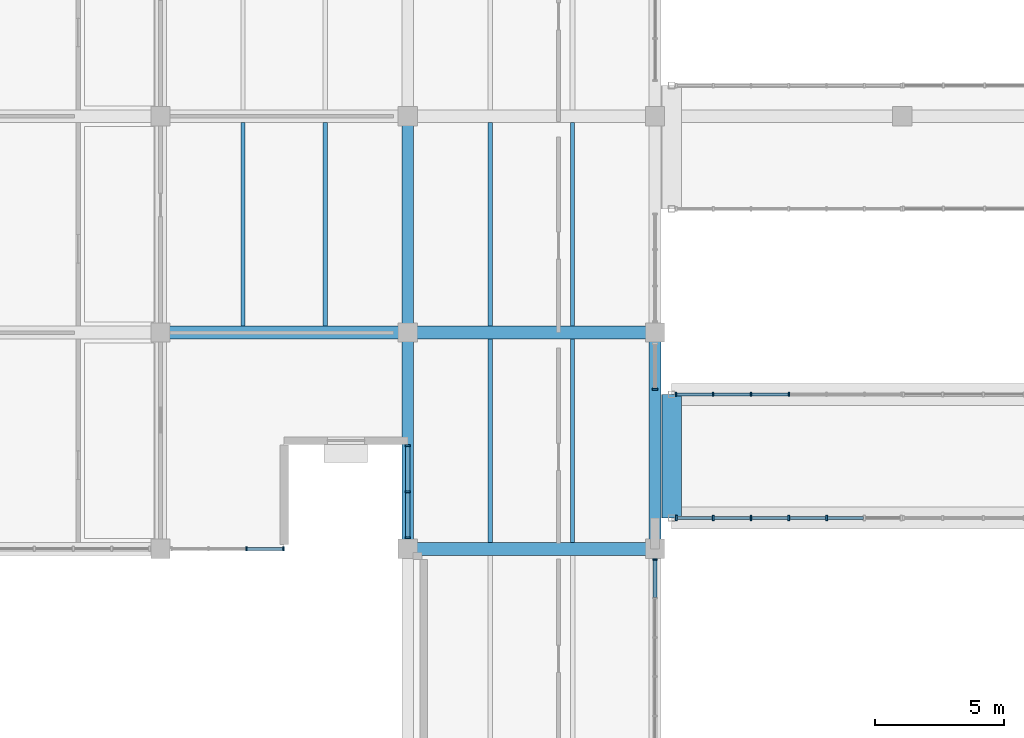
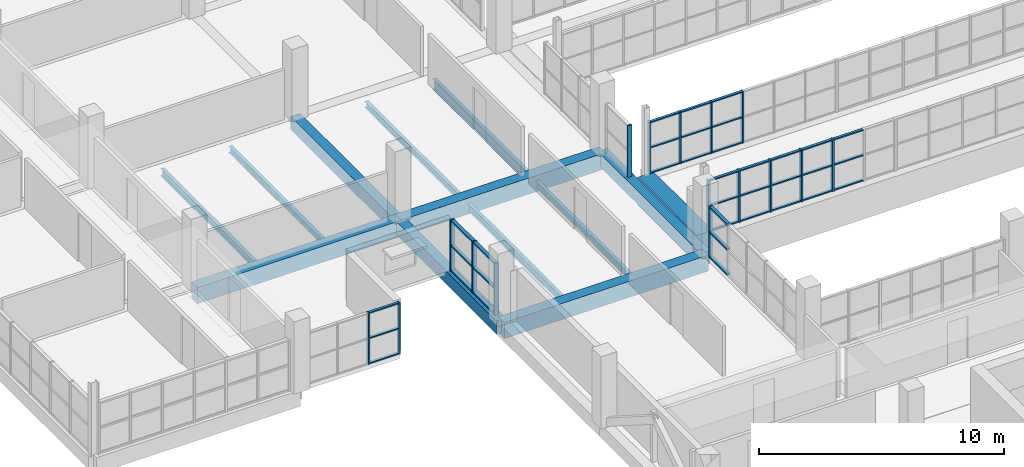
# One storey, part 57 of 147: 52 members, 13 beams, 6 elements without a shape of their own.
"""IFC4 building model written with IfcOpenShell, lengths in metres."""

from ifc_helpers import new_model, si_unit, direction, frame, origin, origin_2d, place, context, subcontext, project, spatial, rectangle, i_section, extrude, material, material_profile, profile_set, type_object, element, aggregate, save


model = new_model("IFC4")

# Units and contexts
model_context = context("Model", 3, precision=1e-05, world=origin(), true_north=direction((0.0, 1.0)))
body_context = subcontext(model_context, "Body", "Model", "MODEL_VIEW")
ifc_project = project(units=[si_unit("LENGTHUNIT", "METRE"), si_unit("AREAUNIT", "SQUARE_METRE"), si_unit("VOLUMEUNIT", "CUBIC_METRE"), si_unit("PLANEANGLEUNIT", "RADIAN"), si_unit("MASSUNIT", "GRAM", prefix="KILO")], contexts=[model_context])

# Site, building, storey
site_placement = place(None, origin())
site = spatial("IfcSite", under=ifc_project, at=site_placement, CompositionType="ELEMENT")
building_placement = place(site_placement, origin())
building = spatial("IfcBuilding", under=site, at=building_placement, Name="Oolite Switchyard Hospital", CompositionType="ELEMENT")
storey_placement = place(building_placement, frame((0.0, 0.0, 9.89990234375)))
storey = spatial("IfcBuildingStorey", under=building, at=storey_placement, Name="L02", CompositionType="ELEMENT", Elevation=9.89990234375)

# Beams
ifc_material_1 = material(Name="Concrete C40/50", Category="concrete")
ifc_material_profile_1 = material_profile(ifc_material_1, rectangle(XDim=0.449951171875, YDim=0.64990234375, at=origin_2d()), Name="RCB450X650")
ifc_profile_set_1 = profile_set([ifc_material_profile_1], Name="Concrete C40/50")
beam_type_1 = type_object("IfcBeamType", Name="BM-RC450X650", PredefinedType="BEAM", material=ifc_profile_set_1)
for number, where, z_axis, x_axis, name in (
    (1, (134.39990234375, 33.60009765625, -0.324951171875), (0.0, 1.0, 0.0), (-1.0, 0.0, 0.0), "L02 Y-Girder 1402"),
    (2, (134.39990234375, 42.0, -0.324951171875), (0.0, 1.0, 0.0), (-1.0, 0.0, 0.0), "L02 Y-Girder 1403"),
    (3, (144.0, 33.60009765625, -0.324951171875), (0.0, 1.0, 0.0), (-1.0, 0.0, 0.0), "L02 Y-Girder 1417"),
):
    element("IfcBeam", number, at=place(storey_placement, frame(where, z_axis=z_axis, x_axis=x_axis)), inside=storey, type_object=beam_type_1, Name=name, PredefinedType="BEAM", context=body_context, shape_type="SweptSolid", body=[
        extrude(rectangle(XDim=0.449951171875, YDim=0.64990234375, at=origin_2d()), origin(), (0.0, 0.0, 1.0), 8.39990234375),
    ])
ifc_material_profile_2 = material_profile(ifc_material_1, rectangle(XDim=0.5, YDim=0.800048828125, at=origin_2d()), Name="RCB500X800")
ifc_profile_set_2 = profile_set([ifc_material_profile_2], Name="Concrete C40/50")
beam_type_2 = type_object("IfcBeamType", Name="BM-RC500X800", PredefinedType="BEAM", material=ifc_profile_set_2)
beam_1_placement = place(storey_placement, frame((134.39990234375, 33.60009765625, -0.39990234375), z_axis=(1.0, 0.0, 0.0), x_axis=(0.0, 1.0, 0.0)))
element("IfcBeam", 4, at=beam_1_placement, inside=storey, type_object=beam_type_2, Name="L02 X-Girder 1042", PredefinedType="BEAM", context=body_context, shape_type="SweptSolid", body=[
    extrude(rectangle(XDim=0.5, YDim=0.800048828125, at=origin_2d()), origin(), (0.0, 0.0, 1.0), 9.60009765625),
])
beam_2_placement = place(storey_placement, frame((124.800048828125, 42.0, -0.39990234375), z_axis=(1.0, 0.0, 0.0), x_axis=(0.0, 1.0, 0.0)))
element("IfcBeam", 5, at=beam_2_placement, inside=storey, type_object=beam_type_2, Name="L02 X-Girder 1057", PredefinedType="BEAM", context=body_context, shape_type="SweptSolid", body=[
    extrude(rectangle(XDim=0.5, YDim=0.800048828125, at=origin_2d()), origin(), (0.0, 0.0, 1.0), 9.599853515625),
])
beam_3_placement = place(storey_placement, frame((134.39990234375, 42.0, -0.39990234375), z_axis=(1.0, 0.0, 0.0), x_axis=(0.0, 1.0, 0.0)))
element("IfcBeam", 6, at=beam_3_placement, inside=storey, type_object=beam_type_2, Name="L02 X-Girder 1058", PredefinedType="BEAM", context=body_context, shape_type="SweptSolid", body=[
    extrude(rectangle(XDim=0.5, YDim=0.800048828125, at=origin_2d()), origin(), (0.0, 0.0, 1.0), 9.60009765625),
])
ifc_material_profile_3 = material_profile(ifc_material_1, rectangle(XDim=0.75, YDim=1.39990234375, at=origin_2d()), Name="RCT750X1400")
ifc_profile_set_3 = profile_set([ifc_material_profile_3], Name="Concrete C40/50")
beam_type_3 = type_object("IfcBeamType", Name="BM-TR750X1400", PredefinedType="BEAM", material=ifc_profile_set_3)
beam_4_placement = place(storey_placement, frame((144.64990234375, 34.800048828125, -0.699951171875), z_axis=(0.0, 1.0, 0.0), x_axis=(-1.0, 0.0, 0.0)))
element("IfcBeam", 7, at=beam_4_placement, inside=storey, type_object=beam_type_3, Name="L02 Y-Girder 1429", PredefinedType="BEAM", context=body_context, shape_type="SweptSolid", body=[
    extrude(rectangle(XDim=0.75, YDim=1.39990234375, at=origin_2d()), origin(), (0.0, 0.0, 1.0), 4.800048828125),
])
ifc_material_2 = material(Name="Steel ASTM A992 Grade 50", Category="steel")
ifc_material_profile_4 = material_profile(ifc_material_2, i_section(OverallWidth=0.1650390625, OverallDepth=0.31005859375, WebThickness=0.006103515625, FlangeThickness=0.010009765625, at=origin_2d()), Name="W12X26")
ifc_profile_set_4 = profile_set([ifc_material_profile_4], Name="Steel ASTM A992 Grade 50")
beam_type_4 = type_object("IfcBeamType", Name="BM-W12X26", PredefinedType="JOIST", material=ifc_profile_set_4)
for number, where, z_axis, x_axis, name in (
    (8, (131.199951171875, 42.25, -0.414794921875), (0.0, 1.0, 0.0), (-1.0, 0.0, 0.0), "L02 Secondary Steel Joist 1751"),
    (9, (140.800048828125, 33.85009765625, -0.414794921875), (0.0, 1.0, 0.0), (-1.0, 0.0, 0.0), "L02 Secondary Steel Joist 1769"),
    (10, (137.60009765625, 42.25, -0.414794921875), (0.0, 1.0, 0.0), (-1.0, 0.0, 0.0), "L02 Secondary Steel Joist 1770"),
):
    element("IfcBeam", number, at=place(storey_placement, frame(where, z_axis=z_axis, x_axis=x_axis)), inside=storey, type_object=beam_type_4, Name=name, PredefinedType="JOIST", context=body_context, shape_type="SweptSolid", body=[
        extrude(i_section(OverallWidth=0.1650390625, OverallDepth=0.31005859375, WebThickness=0.006103515625, FlangeThickness=0.010009765625, at=origin_2d()), origin(), (0.0, 0.0, 1.0), 7.89990234375),
    ])
ifc_material_profile_5 = material_profile(ifc_material_2, i_section(OverallWidth=0.1708984375, OverallDepth=0.35107421875, WebThickness=0.007080078125, FlangeThickness=0.010009765625, at=origin_2d()), Name="W14X30")
ifc_profile_set_5 = profile_set([ifc_material_profile_5], Name="Steel ASTM A992 Grade 50")
beam_type_5 = type_object("IfcBeamType", Name="BM-W14X30", PredefinedType="JOIST", material=ifc_profile_set_5)
for number, where, z_axis, x_axis, name in (
    (11, (128.0, 42.25, -0.434814453125), (0.0, 1.0, 0.0), (-1.0, 0.0, 0.0), "L02 Secondary Steel Joist 1750"),
    (12, (137.60009765625, 33.85009765625, -0.434814453125), (0.0, 1.0, 0.0), (-1.0, 0.0, 0.0), "L02 Secondary Steel Joist 1768"),
):
    element("IfcBeam", number, at=place(storey_placement, frame(where, z_axis=z_axis, x_axis=x_axis)), inside=storey, type_object=beam_type_5, Name=name, PredefinedType="JOIST", context=body_context, shape_type="SweptSolid", body=[
        extrude(i_section(OverallWidth=0.1708984375, OverallDepth=0.35107421875, WebThickness=0.007080078125, FlangeThickness=0.010009765625, at=origin_2d()), origin(), (0.0, 0.0, 1.0), 7.89990234375),
    ])
ifc_material_profile_6 = material_profile(ifc_material_2, i_section(OverallWidth=0.166015625, OverallDepth=0.529052734375, WebThickness=0.010009765625, FlangeThickness=0.013916015625, at=origin_2d()), Name="W21X50")
ifc_profile_set_6 = profile_set([ifc_material_profile_6], Name="Steel ASTM A992 Grade 50")
beam_type_6 = type_object("IfcBeamType", Name="BM-W21X50", PredefinedType="JOIST", material=ifc_profile_set_6)
beam_5_placement = place(storey_placement, frame((140.800048828125, 42.25, -0.52392578125), z_axis=(0.0, 1.0, 0.0), x_axis=(-1.0, 0.0, 0.0)))
element("IfcBeam", 13, at=beam_5_placement, inside=storey, type_object=beam_type_6, Name="L02 Secondary Steel Joist 1771", PredefinedType="JOIST", context=body_context, shape_type="SweptSolid", body=[
    extrude(i_section(OverallWidth=0.166015625, OverallDepth=0.529052734375, WebThickness=0.010009765625, FlangeThickness=0.013916015625, at=origin_2d()), origin(), (0.0, 0.0, 1.0), 7.89990234375),
])

# Curtain wall, members
ifc_material_3 = material(Name="Thermally broken aluminum frame with laminated impact glazing", Category="aluminium")
curtain_wall_type_1 = type_object("IfcCurtainWallType", Name="CW-UNIT-84X36", PredefinedType="USERDEFINED", material=ifc_material_3)
curtain_wall_1_placement = place(storey_placement, origin())
curtain_wall_1 = element("IfcCurtainWall", 14, at=curtain_wall_1_placement, inside=storey, type_object=curtain_wall_type_1, Name="L02 Unitised Curtain Wall 226", ObjectType="UNITISED", PredefinedType="USERDEFINED")
ifc_material_4 = material(Name="Aluminium 6063-T6", Category="aluminium")
ifc_material_profile_7 = material_profile(ifc_material_4, rectangle(XDim=0.159912109375, YDim=0.06005859375, at=origin_2d()), Name="CWM60X160")
ifc_profile_set_7 = profile_set([ifc_material_profile_7], Name="Aluminium 6063-T6")
member_type_1 = type_object("IfcMemberType", Name="CW-MUL-180", PredefinedType="MULLION", material=ifc_profile_set_7)
member_1_placement = place(storey_placement, frame((129.570068359375, 33.60009765625, 0.0), z_axis=(0.0, 0.0, 1.0), x_axis=(0.0, -1.0, 0.0)))
member_1 = element("IfcMember", 15, at=member_1_placement, type_object=member_type_1, Name="CW-08 mullion 1", PredefinedType="MULLION", context=body_context, shape_type="SweptSolid", body=[
    extrude(rectangle(XDim=0.159912109375, YDim=0.06005859375, at=origin_2d()), origin(), (0.0, 0.0, 1.0), 2.570068359375),
])
member_2_placement = place(storey_placement, frame((128.1298828125, 33.60009765625, 0.0), z_axis=(0.0, 0.0, 1.0), x_axis=(0.0, -1.0, 0.0)))
member_2 = element("IfcMember", 16, at=member_2_placement, type_object=member_type_1, Name="CW-08 mullion 2", PredefinedType="MULLION", context=body_context, shape_type="SweptSolid", body=[
    extrude(rectangle(XDim=0.159912109375, YDim=0.06005859375, at=origin_2d()), origin(), (0.0, 0.0, 1.0), 2.570068359375),
])

curtain_wall_type_2 = type_object("IfcCurtainWallType", Name="CW-BRG-96X38", PredefinedType="USERDEFINED", material=ifc_material_3)
curtain_wall_2_placement = place(storey_placement, origin())
curtain_wall_2 = element("IfcCurtainWall", 17, at=curtain_wall_2_placement, inside=storey, type_object=curtain_wall_type_2, Name="L02 Unitised Curtain Wall 232", ObjectType="UNITISED", PredefinedType="USERDEFINED")
member_3_placement = place(storey_placement, frame((144.822021484375, 39.60009765625, 0.0), z_axis=(0.0, 0.0, 1.0), x_axis=(0.0, 1.0, 0.0)))
member_3 = element("IfcMember", 18, at=member_3_placement, type_object=member_type_1, Name="CW-12 mullion 1", PredefinedType="MULLION", context=body_context, shape_type="SweptSolid", body=[
    extrude(rectangle(XDim=0.159912109375, YDim=0.06005859375, at=origin_2d()), origin(), (0.0, 0.0, 1.0), 2.570068359375),
])
member_4_placement = place(storey_placement, frame((146.260009765625, 39.60009765625, 0.0), z_axis=(0.0, 0.0, 1.0), x_axis=(0.0, 1.0, 0.0)))
member_4 = element("IfcMember", 19, at=member_4_placement, type_object=member_type_1, Name="CW-12 mullion 2", PredefinedType="MULLION", context=body_context, shape_type="SweptSolid", body=[
    extrude(rectangle(XDim=0.159912109375, YDim=0.06005859375, at=origin_2d()), origin(), (0.0, 0.0, 1.0), 2.570068359375),
])
member_5_placement = place(storey_placement, frame((147.72802734375, 39.60009765625, 0.0), z_axis=(0.0, 0.0, 1.0), x_axis=(0.0, 1.0, 0.0)))
member_5 = element("IfcMember", 20, at=member_5_placement, type_object=member_type_1, Name="CW-12 mullion 3", PredefinedType="MULLION", context=body_context, shape_type="SweptSolid", body=[
    extrude(rectangle(XDim=0.159912109375, YDim=0.06005859375, at=origin_2d()), origin(), (0.0, 0.0, 1.0), 2.570068359375),
])
member_6_placement = place(storey_placement, frame((149.196044921875, 39.60009765625, 0.0), z_axis=(0.0, 0.0, 1.0), x_axis=(0.0, 1.0, 0.0)))
member_6 = element("IfcMember", 21, at=member_6_placement, type_object=member_type_1, Name="CW-12 mullion 4", PredefinedType="MULLION", context=body_context, shape_type="SweptSolid", body=[
    extrude(rectangle(XDim=0.159912109375, YDim=0.06005859375, at=origin_2d()), origin(), (0.0, 0.0, 1.0), 2.570068359375),
])

# Curtain wall, member
curtain_wall_3_placement = place(storey_placement, origin())
curtain_wall_3 = element("IfcCurtainWall", 22, at=curtain_wall_3_placement, inside=storey, type_object=curtain_wall_type_1, Name="L02 Unitised Curtain Wall 301", ObjectType="UNITISED", PredefinedType="USERDEFINED")
member_7_placement = place(storey_placement, frame((144.0, 33.179931640625, 0.0), z_axis=(0.0, 0.0, 1.0), x_axis=(1.0, 0.0, 0.0)))
member_7 = element("IfcMember", 23, at=member_7_placement, type_object=member_type_1, Name="CW-08 mullion 1", PredefinedType="MULLION", context=body_context, shape_type="SweptSolid", body=[
    extrude(rectangle(XDim=0.159912109375, YDim=0.06005859375, at=origin_2d()), origin(), (0.0, 0.0, 1.0), 2.570068359375),
])

# Curtain wall, members
curtain_wall_4_placement = place(storey_placement, origin())
curtain_wall_4 = element("IfcCurtainWall", 24, at=curtain_wall_4_placement, inside=storey, type_object=curtain_wall_type_2, Name="L02 Unitised Curtain Wall 228", ObjectType="UNITISED", PredefinedType="USERDEFINED")
ifc_material_profile_8 = material_profile(ifc_material_4, rectangle(XDim=0.199951171875, YDim=0.074951171875, at=origin_2d()), Name="CWM75X200")
ifc_profile_set_8 = profile_set([ifc_material_profile_8], Name="Aluminium 6063-T6")
member_type_2 = type_object("IfcMemberType", Name="CW-MUL-260", PredefinedType="MULLION", material=ifc_profile_set_8)
member_8_placement = place(storey_placement, frame((150.6640625, 34.800048828125, 0.0), z_axis=(0.0, 0.0, 1.0), x_axis=(0.0, -1.0, 0.0)))
member_8 = element("IfcMember", 25, at=member_8_placement, type_object=member_type_2, Name="CW-12 mullion 3", PredefinedType="MULLION", context=body_context, shape_type="SweptSolid", body=[
    extrude(rectangle(XDim=0.199951171875, YDim=0.074951171875, at=origin_2d()), origin(), (0.0, 0.0, 1.0), 2.570068359375),
])
member_9_placement = place(storey_placement, frame((149.196044921875, 34.800048828125, 0.0), z_axis=(0.0, 0.0, 1.0), x_axis=(0.0, -1.0, 0.0)))
member_9 = element("IfcMember", 26, at=member_9_placement, type_object=member_type_2, Name="CW-12 mullion 4", PredefinedType="MULLION", context=body_context, shape_type="SweptSolid", body=[
    extrude(rectangle(XDim=0.199951171875, YDim=0.074951171875, at=origin_2d()), origin(), (0.0, 0.0, 1.0), 2.570068359375),
])
member_10_placement = place(storey_placement, frame((147.72802734375, 34.800048828125, 0.0), z_axis=(0.0, 0.0, 1.0), x_axis=(0.0, -1.0, 0.0)))
member_10 = element("IfcMember", 27, at=member_10_placement, type_object=member_type_2, Name="CW-12 mullion 5", PredefinedType="MULLION", context=body_context, shape_type="SweptSolid", body=[
    extrude(rectangle(XDim=0.199951171875, YDim=0.074951171875, at=origin_2d()), origin(), (0.0, 0.0, 1.0), 2.570068359375),
])
member_11_placement = place(storey_placement, frame((146.260009765625, 34.800048828125, 0.0), z_axis=(0.0, 0.0, 1.0), x_axis=(0.0, -1.0, 0.0)))
member_11 = element("IfcMember", 28, at=member_11_placement, type_object=member_type_2, Name="CW-12 mullion 6", PredefinedType="MULLION", context=body_context, shape_type="SweptSolid", body=[
    extrude(rectangle(XDim=0.199951171875, YDim=0.074951171875, at=origin_2d()), origin(), (0.0, 0.0, 1.0), 2.570068359375),
])
member_12_placement = place(storey_placement, frame((144.82958984375, 34.800048828125, 0.0), z_axis=(0.0, 0.0, 1.0), x_axis=(0.0, -1.0, 0.0)))
member_12 = element("IfcMember", 29, at=member_12_placement, type_object=member_type_2, Name="CW-12 mullion 7", PredefinedType="MULLION", context=body_context, shape_type="SweptSolid", body=[
    extrude(rectangle(XDim=0.199951171875, YDim=0.074951171875, at=origin_2d()), origin(), (0.0, 0.0, 1.0), 2.570068359375),
])

curtain_wall_5_placement = place(storey_placement, origin())
curtain_wall_5 = element("IfcCurtainWall", 30, at=curtain_wall_5_placement, inside=storey, type_object=curtain_wall_type_1, Name="L02 Unitised Curtain Wall 297", ObjectType="UNITISED", PredefinedType="USERDEFINED")
member_13_placement = place(storey_placement, frame((134.39990234375, 34.027587890625, 0.0), z_axis=(0.0, 0.0, 1.0), x_axis=(-1.0, 0.0, 0.0)))
member_13 = element("IfcMember", 31, at=member_13_placement, type_object=member_type_2, Name="CW-08 mullion 1", PredefinedType="MULLION", context=body_context, shape_type="SweptSolid", body=[
    extrude(rectangle(XDim=0.199951171875, YDim=0.074951171875, at=origin_2d()), origin(), (0.0, 0.0, 1.0), 2.570068359375),
])
member_14_placement = place(storey_placement, frame((134.39990234375, 35.81494140625, 0.0), z_axis=(0.0, 0.0, 1.0), x_axis=(-1.0, 0.0, 0.0)))
member_14 = element("IfcMember", 32, at=member_14_placement, type_object=member_type_2, Name="CW-08 mullion 2", PredefinedType="MULLION", context=body_context, shape_type="SweptSolid", body=[
    extrude(rectangle(XDim=0.199951171875, YDim=0.074951171875, at=origin_2d()), origin(), (0.0, 0.0, 1.0), 2.570068359375),
])
member_15_placement = place(storey_placement, frame((134.39990234375, 37.6025390625, 0.0), z_axis=(0.0, 0.0, 1.0), x_axis=(-1.0, 0.0, 0.0)))
member_15 = element("IfcMember", 33, at=member_15_placement, type_object=member_type_2, Name="CW-08 mullion 3", PredefinedType="MULLION", context=body_context, shape_type="SweptSolid", body=[
    extrude(rectangle(XDim=0.199951171875, YDim=0.074951171875, at=origin_2d()), origin(), (0.0, 0.0, 1.0), 2.570068359375),
])

# Curtain wall, member
curtain_wall_6_placement = place(storey_placement, origin())
curtain_wall_6 = element("IfcCurtainWall", 34, at=curtain_wall_6_placement, inside=storey, type_object=curtain_wall_type_2, Name="L02 Unitised Curtain Wall 303", ObjectType="UNITISED", PredefinedType="USERDEFINED")
member_16_placement = place(storey_placement, frame((144.0, 39.797607421875, 0.0), z_axis=(0.0, 0.0, 1.0), x_axis=(1.0, 0.0, 0.0)))
member_16 = element("IfcMember", 35, at=member_16_placement, type_object=member_type_2, Name="CW-12 mullion 2", PredefinedType="MULLION", context=body_context, shape_type="SweptSolid", body=[
    extrude(rectangle(XDim=0.199951171875, YDim=0.074951171875, at=origin_2d()), origin(), (0.0, 0.0, 1.0), 2.570068359375),
])
aggregate(curtain_wall_6, [member_16])

# Member
ifc_material_profile_9 = material_profile(ifc_material_4, rectangle(XDim=0.1201171875, YDim=0.06005859375, at=origin_2d()), Name="CWT60X120")
ifc_profile_set_9 = profile_set([ifc_material_profile_9], Name="Aluminium 6063-T6")
member_type_3 = type_object("IfcMemberType", Name="CW-TRN-150", PredefinedType="USERDEFINED", material=ifc_profile_set_9)
member_17_placement = place(storey_placement, frame((129.5400390625, 33.60009765625, 0.030029296875), z_axis=(-1.0, 0.0, 0.0), x_axis=(0.0, -1.0, 0.0)))
member_17 = element("IfcMember", 36, at=member_17_placement, type_object=member_type_3, Name="CW-08 transom 1.1", ObjectType="TRANSOM", PredefinedType="USERDEFINED", context=body_context, shape_type="SweptSolid", body=[
    extrude(rectangle(XDim=0.1201171875, YDim=0.06005859375, at=origin_2d()), origin(), (0.0, 0.0, 1.0), 1.380126953125),
])

member_18_placement = place(storey_placement, frame((129.5400390625, 33.60009765625, 1.28515625), z_axis=(-1.0, 0.0, 0.0), x_axis=(0.0, -1.0, 0.0)))
member_18 = element("IfcMember", 37, at=member_18_placement, type_object=member_type_3, Name="CW-08 transom 1.2", ObjectType="TRANSOM", PredefinedType="USERDEFINED", context=body_context, shape_type="SweptSolid", body=[
    extrude(rectangle(XDim=0.1201171875, YDim=0.06005859375, at=origin_2d()), origin(), (0.0, 0.0, 1.0), 1.380126953125),
])

member_19_placement = place(storey_placement, frame((129.5400390625, 33.60009765625, 2.5400390625), z_axis=(-1.0, 0.0, 0.0), x_axis=(0.0, -1.0, 0.0)))
member_19 = element("IfcMember", 38, at=member_19_placement, type_object=member_type_3, Name="CW-08 transom 1.3", ObjectType="TRANSOM", PredefinedType="USERDEFINED", context=body_context, shape_type="SweptSolid", body=[
    extrude(rectangle(XDim=0.1201171875, YDim=0.06005859375, at=origin_2d()), origin(), (0.0, 0.0, 1.0), 1.380126953125),
])

aggregate(curtain_wall_1, [member_1, member_2, member_17, member_18, member_19])

member_20_placement = place(storey_placement, frame((152.094482421875, 34.800048828125, 0.030029296875), z_axis=(-1.0, 0.0, 0.0), x_axis=(0.0, -1.0, 0.0)))
member_20 = element("IfcMember", 39, at=member_20_placement, type_object=member_type_3, Name="CW-12 transom 2.1", ObjectType="TRANSOM", PredefinedType="USERDEFINED", context=body_context, shape_type="SweptSolid", body=[
    extrude(rectangle(XDim=0.1201171875, YDim=0.06005859375, at=origin_2d()), origin(), (0.0, 0.0, 1.0), 1.39306640625),
])

member_21_placement = place(storey_placement, frame((152.094482421875, 34.800048828125, 1.28515625), z_axis=(-1.0, 0.0, 0.0), x_axis=(0.0, -1.0, 0.0)))
member_21 = element("IfcMember", 40, at=member_21_placement, type_object=member_type_3, Name="CW-12 transom 2.2", ObjectType="TRANSOM", PredefinedType="USERDEFINED", context=body_context, shape_type="SweptSolid", body=[
    extrude(rectangle(XDim=0.1201171875, YDim=0.06005859375, at=origin_2d()), origin(), (0.0, 0.0, 1.0), 1.39306640625),
])

member_22_placement = place(storey_placement, frame((152.094482421875, 34.800048828125, 2.5400390625), z_axis=(-1.0, 0.0, 0.0), x_axis=(0.0, -1.0, 0.0)))
member_22 = element("IfcMember", 41, at=member_22_placement, type_object=member_type_3, Name="CW-12 transom 2.3", ObjectType="TRANSOM", PredefinedType="USERDEFINED", context=body_context, shape_type="SweptSolid", body=[
    extrude(rectangle(XDim=0.1201171875, YDim=0.06005859375, at=origin_2d()), origin(), (0.0, 0.0, 1.0), 1.39306640625),
])

member_23_placement = place(storey_placement, frame((150.62646484375, 34.800048828125, 0.030029296875), z_axis=(-1.0, 0.0, 0.0), x_axis=(0.0, -1.0, 0.0)))
member_23 = element("IfcMember", 42, at=member_23_placement, type_object=member_type_3, Name="CW-12 transom 3.1", ObjectType="TRANSOM", PredefinedType="USERDEFINED", context=body_context, shape_type="SweptSolid", body=[
    extrude(rectangle(XDim=0.1201171875, YDim=0.06005859375, at=origin_2d()), origin(), (0.0, 0.0, 1.0), 1.39306640625),
])

member_24_placement = place(storey_placement, frame((150.62646484375, 34.800048828125, 1.28515625), z_axis=(-1.0, 0.0, 0.0), x_axis=(0.0, -1.0, 0.0)))
member_24 = element("IfcMember", 43, at=member_24_placement, type_object=member_type_3, Name="CW-12 transom 3.2", ObjectType="TRANSOM", PredefinedType="USERDEFINED", context=body_context, shape_type="SweptSolid", body=[
    extrude(rectangle(XDim=0.1201171875, YDim=0.06005859375, at=origin_2d()), origin(), (0.0, 0.0, 1.0), 1.39306640625),
])

member_25_placement = place(storey_placement, frame((150.62646484375, 34.800048828125, 2.5400390625), z_axis=(-1.0, 0.0, 0.0), x_axis=(0.0, -1.0, 0.0)))
member_25 = element("IfcMember", 44, at=member_25_placement, type_object=member_type_3, Name="CW-12 transom 3.3", ObjectType="TRANSOM", PredefinedType="USERDEFINED", context=body_context, shape_type="SweptSolid", body=[
    extrude(rectangle(XDim=0.1201171875, YDim=0.06005859375, at=origin_2d()), origin(), (0.0, 0.0, 1.0), 1.39306640625),
])

member_26_placement = place(storey_placement, frame((149.158447265625, 34.800048828125, 0.030029296875), z_axis=(-1.0, 0.0, 0.0), x_axis=(0.0, -1.0, 0.0)))
member_26 = element("IfcMember", 45, at=member_26_placement, type_object=member_type_3, Name="CW-12 transom 4.1", ObjectType="TRANSOM", PredefinedType="USERDEFINED", context=body_context, shape_type="SweptSolid", body=[
    extrude(rectangle(XDim=0.1201171875, YDim=0.06005859375, at=origin_2d()), origin(), (0.0, 0.0, 1.0), 1.39306640625),
])

member_27_placement = place(storey_placement, frame((149.158447265625, 34.800048828125, 1.28515625), z_axis=(-1.0, 0.0, 0.0), x_axis=(0.0, -1.0, 0.0)))
member_27 = element("IfcMember", 46, at=member_27_placement, type_object=member_type_3, Name="CW-12 transom 4.2", ObjectType="TRANSOM", PredefinedType="USERDEFINED", context=body_context, shape_type="SweptSolid", body=[
    extrude(rectangle(XDim=0.1201171875, YDim=0.06005859375, at=origin_2d()), origin(), (0.0, 0.0, 1.0), 1.39306640625),
])

member_28_placement = place(storey_placement, frame((149.158447265625, 34.800048828125, 2.5400390625), z_axis=(-1.0, 0.0, 0.0), x_axis=(0.0, -1.0, 0.0)))
member_28 = element("IfcMember", 47, at=member_28_placement, type_object=member_type_3, Name="CW-12 transom 4.3", ObjectType="TRANSOM", PredefinedType="USERDEFINED", context=body_context, shape_type="SweptSolid", body=[
    extrude(rectangle(XDim=0.1201171875, YDim=0.06005859375, at=origin_2d()), origin(), (0.0, 0.0, 1.0), 1.39306640625),
])

member_29_placement = place(storey_placement, frame((147.6904296875, 34.800048828125, 0.030029296875), z_axis=(-1.0, 0.0, 0.0), x_axis=(0.0, -1.0, 0.0)))
member_29 = element("IfcMember", 48, at=member_29_placement, type_object=member_type_3, Name="CW-12 transom 5.1", ObjectType="TRANSOM", PredefinedType="USERDEFINED", context=body_context, shape_type="SweptSolid", body=[
    extrude(rectangle(XDim=0.1201171875, YDim=0.06005859375, at=origin_2d()), origin(), (0.0, 0.0, 1.0), 1.392822265625),
])

member_30_placement = place(storey_placement, frame((147.6904296875, 34.800048828125, 1.28515625), z_axis=(-1.0, 0.0, 0.0), x_axis=(0.0, -1.0, 0.0)))
member_30 = element("IfcMember", 49, at=member_30_placement, type_object=member_type_3, Name="CW-12 transom 5.2", ObjectType="TRANSOM", PredefinedType="USERDEFINED", context=body_context, shape_type="SweptSolid", body=[
    extrude(rectangle(XDim=0.1201171875, YDim=0.06005859375, at=origin_2d()), origin(), (0.0, 0.0, 1.0), 1.392822265625),
])

member_31_placement = place(storey_placement, frame((147.6904296875, 34.800048828125, 2.5400390625), z_axis=(-1.0, 0.0, 0.0), x_axis=(0.0, -1.0, 0.0)))
member_31 = element("IfcMember", 50, at=member_31_placement, type_object=member_type_3, Name="CW-12 transom 5.3", ObjectType="TRANSOM", PredefinedType="USERDEFINED", context=body_context, shape_type="SweptSolid", body=[
    extrude(rectangle(XDim=0.1201171875, YDim=0.06005859375, at=origin_2d()), origin(), (0.0, 0.0, 1.0), 1.392822265625),
])

member_32_placement = place(storey_placement, frame((146.222412109375, 34.800048828125, 0.030029296875), z_axis=(-1.0, 0.0, 0.0), x_axis=(0.0, -1.0, 0.0)))
member_32 = element("IfcMember", 51, at=member_32_placement, type_object=member_type_3, Name="CW-12 transom 6.1", ObjectType="TRANSOM", PredefinedType="USERDEFINED", context=body_context, shape_type="SweptSolid", body=[
    extrude(rectangle(XDim=0.1201171875, YDim=0.06005859375, at=origin_2d()), origin(), (0.0, 0.0, 1.0), 1.35546875),
])

member_33_placement = place(storey_placement, frame((146.222412109375, 34.800048828125, 1.28515625), z_axis=(-1.0, 0.0, 0.0), x_axis=(0.0, -1.0, 0.0)))
member_33 = element("IfcMember", 52, at=member_33_placement, type_object=member_type_3, Name="CW-12 transom 6.2", ObjectType="TRANSOM", PredefinedType="USERDEFINED", context=body_context, shape_type="SweptSolid", body=[
    extrude(rectangle(XDim=0.1201171875, YDim=0.06005859375, at=origin_2d()), origin(), (0.0, 0.0, 1.0), 1.35546875),
])

member_34_placement = place(storey_placement, frame((146.222412109375, 34.800048828125, 2.5400390625), z_axis=(-1.0, 0.0, 0.0), x_axis=(0.0, -1.0, 0.0)))
member_34 = element("IfcMember", 53, at=member_34_placement, type_object=member_type_3, Name="CW-12 transom 6.3", ObjectType="TRANSOM", PredefinedType="USERDEFINED", context=body_context, shape_type="SweptSolid", body=[
    extrude(rectangle(XDim=0.1201171875, YDim=0.06005859375, at=origin_2d()), origin(), (0.0, 0.0, 1.0), 1.35546875),
])

aggregate(curtain_wall_4, [member_8, member_9, member_10, member_11, member_12, member_20, member_21, member_22, member_23, member_24, member_25, member_26, member_27, member_28, member_29, member_30, member_31, member_32, member_33, member_34])

member_35_placement = place(storey_placement, frame((144.85205078125, 39.60009765625, 0.030029296875), z_axis=(1.0, 0.0, 0.0), x_axis=(0.0, 1.0, 0.0)))
member_35 = element("IfcMember", 54, at=member_35_placement, type_object=member_type_3, Name="CW-12 transom 1.1", ObjectType="TRANSOM", PredefinedType="USERDEFINED", context=body_context, shape_type="SweptSolid", body=[
    extrude(rectangle(XDim=0.1201171875, YDim=0.06005859375, at=origin_2d()), origin(), (0.0, 0.0, 1.0), 1.3779296875),
])

member_36_placement = place(storey_placement, frame((144.85205078125, 39.60009765625, 1.28515625), z_axis=(1.0, 0.0, 0.0), x_axis=(0.0, 1.0, 0.0)))
member_36 = element("IfcMember", 55, at=member_36_placement, type_object=member_type_3, Name="CW-12 transom 1.2", ObjectType="TRANSOM", PredefinedType="USERDEFINED", context=body_context, shape_type="SweptSolid", body=[
    extrude(rectangle(XDim=0.1201171875, YDim=0.06005859375, at=origin_2d()), origin(), (0.0, 0.0, 1.0), 1.3779296875),
])

member_37_placement = place(storey_placement, frame((144.85205078125, 39.60009765625, 2.5400390625), z_axis=(1.0, 0.0, 0.0), x_axis=(0.0, 1.0, 0.0)))
member_37 = element("IfcMember", 56, at=member_37_placement, type_object=member_type_3, Name="CW-12 transom 1.3", ObjectType="TRANSOM", PredefinedType="USERDEFINED", context=body_context, shape_type="SweptSolid", body=[
    extrude(rectangle(XDim=0.1201171875, YDim=0.06005859375, at=origin_2d()), origin(), (0.0, 0.0, 1.0), 1.3779296875),
])

member_38_placement = place(storey_placement, frame((146.2900390625, 39.60009765625, 0.030029296875), z_axis=(1.0, 0.0, 0.0), x_axis=(0.0, 1.0, 0.0)))
member_38 = element("IfcMember", 57, at=member_38_placement, type_object=member_type_3, Name="CW-12 transom 2.1", ObjectType="TRANSOM", PredefinedType="USERDEFINED", context=body_context, shape_type="SweptSolid", body=[
    extrude(rectangle(XDim=0.1201171875, YDim=0.06005859375, at=origin_2d()), origin(), (0.0, 0.0, 1.0), 1.407958984375),
])

member_39_placement = place(storey_placement, frame((146.2900390625, 39.60009765625, 1.28515625), z_axis=(1.0, 0.0, 0.0), x_axis=(0.0, 1.0, 0.0)))
member_39 = element("IfcMember", 58, at=member_39_placement, type_object=member_type_3, Name="CW-12 transom 2.2", ObjectType="TRANSOM", PredefinedType="USERDEFINED", context=body_context, shape_type="SweptSolid", body=[
    extrude(rectangle(XDim=0.1201171875, YDim=0.06005859375, at=origin_2d()), origin(), (0.0, 0.0, 1.0), 1.407958984375),
])

member_40_placement = place(storey_placement, frame((146.2900390625, 39.60009765625, 2.5400390625), z_axis=(1.0, 0.0, 0.0), x_axis=(0.0, 1.0, 0.0)))
member_40 = element("IfcMember", 59, at=member_40_placement, type_object=member_type_3, Name="CW-12 transom 2.3", ObjectType="TRANSOM", PredefinedType="USERDEFINED", context=body_context, shape_type="SweptSolid", body=[
    extrude(rectangle(XDim=0.1201171875, YDim=0.06005859375, at=origin_2d()), origin(), (0.0, 0.0, 1.0), 1.407958984375),
])

member_41_placement = place(storey_placement, frame((147.758056640625, 39.60009765625, 0.030029296875), z_axis=(1.0, 0.0, 0.0), x_axis=(0.0, 1.0, 0.0)))
member_41 = element("IfcMember", 60, at=member_41_placement, type_object=member_type_3, Name="CW-12 transom 3.1", ObjectType="TRANSOM", PredefinedType="USERDEFINED", context=body_context, shape_type="SweptSolid", body=[
    extrude(rectangle(XDim=0.1201171875, YDim=0.06005859375, at=origin_2d()), origin(), (0.0, 0.0, 1.0), 1.407958984375),
])

member_42_placement = place(storey_placement, frame((147.758056640625, 39.60009765625, 1.28515625), z_axis=(1.0, 0.0, 0.0), x_axis=(0.0, 1.0, 0.0)))
member_42 = element("IfcMember", 61, at=member_42_placement, type_object=member_type_3, Name="CW-12 transom 3.2", ObjectType="TRANSOM", PredefinedType="USERDEFINED", context=body_context, shape_type="SweptSolid", body=[
    extrude(rectangle(XDim=0.1201171875, YDim=0.06005859375, at=origin_2d()), origin(), (0.0, 0.0, 1.0), 1.407958984375),
])

member_43_placement = place(storey_placement, frame((147.758056640625, 39.60009765625, 2.5400390625), z_axis=(1.0, 0.0, 0.0), x_axis=(0.0, 1.0, 0.0)))
member_43 = element("IfcMember", 62, at=member_43_placement, type_object=member_type_3, Name="CW-12 transom 3.3", ObjectType="TRANSOM", PredefinedType="USERDEFINED", context=body_context, shape_type="SweptSolid", body=[
    extrude(rectangle(XDim=0.1201171875, YDim=0.06005859375, at=origin_2d()), origin(), (0.0, 0.0, 1.0), 1.407958984375),
])

aggregate(curtain_wall_2, [member_3, member_4, member_5, member_6, member_35, member_36, member_37, member_38, member_39, member_40, member_41, member_42, member_43])

ifc_material_profile_10 = material_profile(ifc_material_4, rectangle(XDim=0.159912109375, YDim=0.074951171875, at=origin_2d()), Name="CWT75X160")
ifc_profile_set_10 = profile_set([ifc_material_profile_10], Name="Aluminium 6063-T6")
member_type_4 = type_object("IfcMemberType", Name="CW-TRN-180", PredefinedType="USERDEFINED", material=ifc_profile_set_10)
member_44_placement = place(storey_placement, frame((134.39990234375, 34.06494140625, 0.03759765625), z_axis=(0.0, 1.0, 0.0), x_axis=(-1.0, 0.0, 0.0)))
member_44 = element("IfcMember", 63, at=member_44_placement, type_object=member_type_4, Name="CW-08 transom 1.1", ObjectType="TRANSOM", PredefinedType="USERDEFINED", context=body_context, shape_type="SweptSolid", body=[
    extrude(rectangle(XDim=0.159912109375, YDim=0.074951171875, at=origin_2d()), origin(), (0.0, 0.0, 1.0), 1.712646484375),
])

member_45_placement = place(storey_placement, frame((134.39990234375, 34.06494140625, 1.28515625), z_axis=(0.0, 1.0, 0.0), x_axis=(-1.0, 0.0, 0.0)))
member_45 = element("IfcMember", 64, at=member_45_placement, type_object=member_type_4, Name="CW-08 transom 1.2", ObjectType="TRANSOM", PredefinedType="USERDEFINED", context=body_context, shape_type="SweptSolid", body=[
    extrude(rectangle(XDim=0.159912109375, YDim=0.074951171875, at=origin_2d()), origin(), (0.0, 0.0, 1.0), 1.712646484375),
])

member_46_placement = place(storey_placement, frame((134.39990234375, 34.06494140625, 2.53271484375), z_axis=(0.0, 1.0, 0.0), x_axis=(-1.0, 0.0, 0.0)))
member_46 = element("IfcMember", 65, at=member_46_placement, type_object=member_type_4, Name="CW-08 transom 1.3", ObjectType="TRANSOM", PredefinedType="USERDEFINED", context=body_context, shape_type="SweptSolid", body=[
    extrude(rectangle(XDim=0.159912109375, YDim=0.074951171875, at=origin_2d()), origin(), (0.0, 0.0, 1.0), 1.712646484375),
])

member_47_placement = place(storey_placement, frame((134.39990234375, 35.8525390625, 0.03759765625), z_axis=(0.0, 1.0, 0.0), x_axis=(-1.0, 0.0, 0.0)))
member_47 = element("IfcMember", 66, at=member_47_placement, type_object=member_type_4, Name="CW-08 transom 2.1", ObjectType="TRANSOM", PredefinedType="USERDEFINED", context=body_context, shape_type="SweptSolid", body=[
    extrude(rectangle(XDim=0.159912109375, YDim=0.074951171875, at=origin_2d()), origin(), (0.0, 0.0, 1.0), 1.71240234375),
])

member_48_placement = place(storey_placement, frame((134.39990234375, 35.8525390625, 1.28515625), z_axis=(0.0, 1.0, 0.0), x_axis=(-1.0, 0.0, 0.0)))
member_48 = element("IfcMember", 67, at=member_48_placement, type_object=member_type_4, Name="CW-08 transom 2.2", ObjectType="TRANSOM", PredefinedType="USERDEFINED", context=body_context, shape_type="SweptSolid", body=[
    extrude(rectangle(XDim=0.159912109375, YDim=0.074951171875, at=origin_2d()), origin(), (0.0, 0.0, 1.0), 1.71240234375),
])

member_49_placement = place(storey_placement, frame((134.39990234375, 35.8525390625, 2.53271484375), z_axis=(0.0, 1.0, 0.0), x_axis=(-1.0, 0.0, 0.0)))
member_49 = element("IfcMember", 68, at=member_49_placement, type_object=member_type_4, Name="CW-08 transom 2.3", ObjectType="TRANSOM", PredefinedType="USERDEFINED", context=body_context, shape_type="SweptSolid", body=[
    extrude(rectangle(XDim=0.159912109375, YDim=0.074951171875, at=origin_2d()), origin(), (0.0, 0.0, 1.0), 1.71240234375),
])

aggregate(curtain_wall_5, [member_13, member_14, member_15, member_44, member_45, member_46, member_47, member_48, member_49])

member_50_placement = place(storey_placement, frame((144.0, 33.14990234375, 0.03759765625), z_axis=(0.0, -1.0, 0.0), x_axis=(1.0, 0.0, 0.0)))
member_50 = element("IfcMember", 69, at=member_50_placement, type_object=member_type_4, Name="CW-08 transom 1.1", ObjectType="TRANSOM", PredefinedType="USERDEFINED", context=body_context, shape_type="SweptSolid", body=[
    extrude(rectangle(XDim=0.159912109375, YDim=0.074951171875, at=origin_2d()), origin(), (0.0, 0.0, 1.0), 1.433837890625),
])

member_51_placement = place(storey_placement, frame((144.0, 33.14990234375, 1.28515625), z_axis=(0.0, -1.0, 0.0), x_axis=(1.0, 0.0, 0.0)))
member_51 = element("IfcMember", 70, at=member_51_placement, type_object=member_type_4, Name="CW-08 transom 1.2", ObjectType="TRANSOM", PredefinedType="USERDEFINED", context=body_context, shape_type="SweptSolid", body=[
    extrude(rectangle(XDim=0.159912109375, YDim=0.074951171875, at=origin_2d()), origin(), (0.0, 0.0, 1.0), 1.433837890625),
])

member_52_placement = place(storey_placement, frame((144.0, 33.14990234375, 2.53271484375), z_axis=(0.0, -1.0, 0.0), x_axis=(1.0, 0.0, 0.0)))
member_52 = element("IfcMember", 71, at=member_52_placement, type_object=member_type_4, Name="CW-08 transom 1.3", ObjectType="TRANSOM", PredefinedType="USERDEFINED", context=body_context, shape_type="SweptSolid", body=[
    extrude(rectangle(XDim=0.159912109375, YDim=0.074951171875, at=origin_2d()), origin(), (0.0, 0.0, 1.0), 1.433837890625),
])

aggregate(curtain_wall_3, [member_7, member_50, member_51, member_52])

save(model, "model.ifc")
